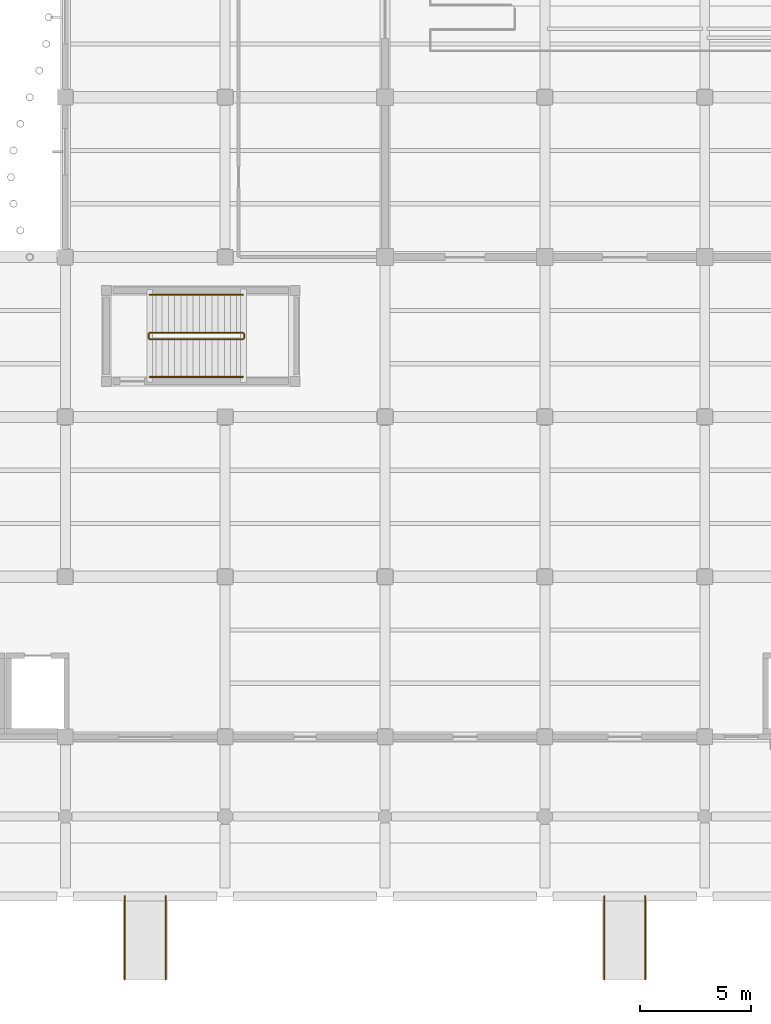
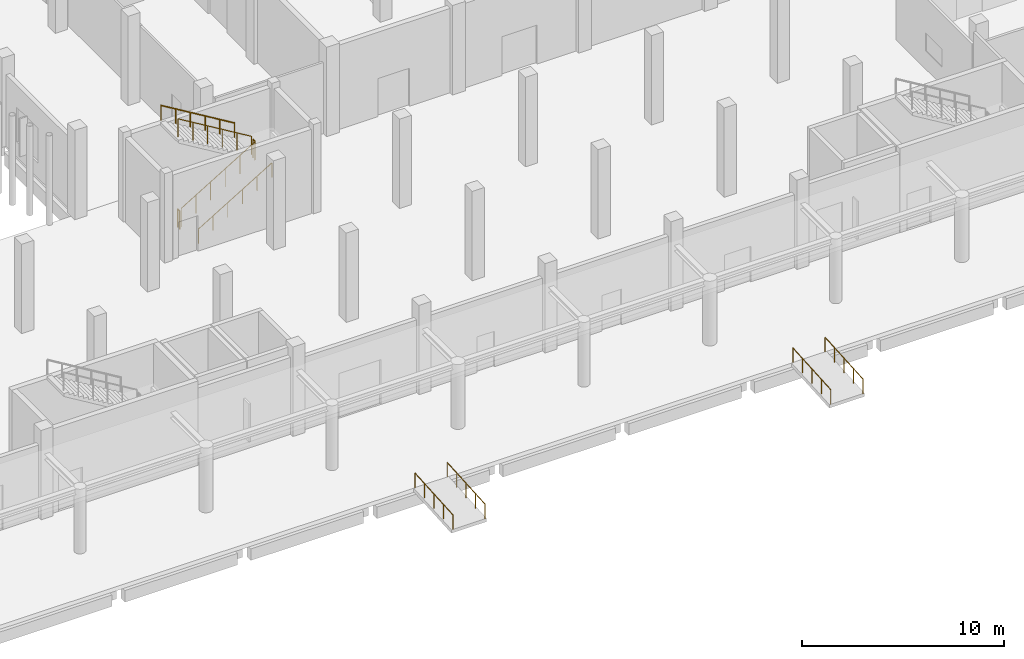
# One storey, part 36 of 46: 10 railings.
"""IFC4 building model written with IfcOpenShell, lengths in metres."""

from ifc_helpers import new_model, si_unit, direction, frame, origin, origin_2d, place, context, subcontext, project, spatial, circle, extrude, material, type_object, element, save


model = new_model("IFC4")

# Units and contexts
model_context = context("Model", 3, precision=1e-05, world=origin(), true_north=direction((0.0, 1.0)))
body_context = subcontext(model_context, "Body", "Model", "MODEL_VIEW")
ifc_project = project(units=[si_unit("LENGTHUNIT", "METRE"), si_unit("AREAUNIT", "SQUARE_METRE"), si_unit("VOLUMEUNIT", "CUBIC_METRE"), si_unit("PLANEANGLEUNIT", "RADIAN"), si_unit("MASSUNIT", "GRAM", prefix="KILO"), si_unit("THERMODYNAMICTEMPERATUREUNIT", "KELVIN"), si_unit("POWERUNIT", "WATT")], contexts=[model_context])

# Site, building, storey
site_placement = place(None, origin())
site = spatial("IfcSite", under=ifc_project, at=site_placement, CompositionType="ELEMENT")
building_placement = place(site_placement, origin())
building = spatial("IfcBuilding", under=site, at=building_placement, Name="Kaldorven Railside Theatre", CompositionType="ELEMENT")
storey_placement = place(building_placement, origin())
storey = spatial("IfcBuildingStorey", under=building, at=storey_placement, Name="L00", CompositionType="ELEMENT", Elevation=0.0)

# Railings
ifc_material_1 = material(Name="Anodised bronze aluminium", Category="aluminium")
railing_type_1 = type_object("IfcRailingType", Name="RLG-BAL-1100", PredefinedType="BALUSTRADE", material=ifc_material_1)
for number, where, name in (
    (1, (75.47998046875, 8.260009765625, -0.25), "Ramp Handrail RHR-03W"),
    (2, (77.320068359375, 8.260009765625, -0.25), "Ramp Handrail RHR-03E"),
    (3, (97.080078125, 8.260009765625, -0.25), "Ramp Handrail RHR-04W"),
    (4, (98.919921875, 8.260009765625, -0.25), "Ramp Handrail RHR-04E"),
):
    element("IfcRailing", number, at=place(storey_placement, frame(where)), inside=storey, type_object=railing_type_1, Name=name, PredefinedType="HANDRAIL", context=body_context, shape_type="SweptSolid", body=[
        extrude(circle(Radius=0.02392578125, at=origin_2d()), frame((0.0, 0.0, 0.8759765625), z_axis=(0.0, 0.997785157857, 0.066519010524), x_axis=(-1.0, 0.0, 0.0)), (0.0, 0.0, 1.0), 3.75830078125),
        extrude(circle(Radius=0.02099609375, at=origin_2d()), origin(), (0.0, 0.0, 1.0), 0.851806640625),
        extrude(circle(Radius=0.02099609375, at=origin_2d()), frame((0.0, 0.9375, 0.0625)), (0.0, 0.0, 1.0), 0.851806640625),
        extrude(circle(Radius=0.02099609375, at=origin_2d()), frame((0.0, 1.875, 0.125)), (0.0, 0.0, 1.0), 0.851806640625),
        extrude(circle(Radius=0.02099609375, at=origin_2d()), frame((0.0, 2.8125, 0.1875)), (0.0, 0.0, 1.0), 0.851806640625),
        extrude(circle(Radius=0.02099609375, at=origin_2d()), frame((0.0, 3.75, 0.25)), (0.0, 0.0, 1.0), 0.851806640625),
    ])
ifc_material_2 = material(Name="Steel S355", Category="steel")
railing_type_2 = type_object("IfcRailingType", Name="RLG-STG-1100", PredefinedType="BALUSTRADE", material=ifc_material_2)
railing_1_placement = place(storey_placement, frame((76.60009765625, 37.10009765625, 0.168701171875)))
element("IfcRailing", 5, at=railing_1_placement, inside=storey, type_object=railing_type_2, Name="L00 ST-07 stair guard 1", PredefinedType="BALUSTRADE", context=body_context, shape_type="SweptSolid", body=[
    extrude(circle(Radius=0.02392578125, at=origin_2d()), frame((0.0, 0.0, 1.09619140625), z_axis=(0.856476492594, 0.0, 0.516186030065), x_axis=(0.0, 1.0, 0.0)), (0.0, 0.0, 1.0), 4.90380859375),
    extrude(circle(Radius=0.02099609375, at=origin_2d()), origin(), (0.0, 0.0, 1.0), 1.072021484375),
    extrude(circle(Radius=0.02099609375, at=origin_2d()), frame((0.840087890625, 0.0, 0.50634765625)), (0.0, 0.0, 1.0), 1.072021484375),
    extrude(circle(Radius=0.02099609375, at=origin_2d()), frame((1.679931640625, 0.0, 1.012451171875)), (0.0, 0.0, 1.0), 1.072021484375),
    extrude(circle(Radius=0.02099609375, at=origin_2d()), frame((2.52001953125, 0.0, 1.518798828125)), (0.0, 0.0, 1.0), 1.072021484375),
    extrude(circle(Radius=0.02099609375, at=origin_2d()), frame((3.35986328125, 0.0, 2.02490234375)), (0.0, 0.0, 1.0), 1.072021484375),
    extrude(circle(Radius=0.02099609375, at=origin_2d()), frame((4.199951171875, 0.0, 2.53125)), (0.0, 0.0, 1.0), 1.072021484375),
])
railing_2_placement = place(storey_placement, frame((80.85009765625, 37.14990234375, 2.699951171875)))
element("IfcRailing", 6, at=railing_2_placement, inside=storey, type_object=railing_type_2, Name="L00 ST-07 stair guard 2", PredefinedType="BALUSTRADE", context=body_context, shape_type="SweptSolid", body=[
    extrude(circle(Radius=0.02392578125, at=origin_2d()), frame((0.0, 0.0, 1.09619140625), z_axis=(0.0, 1.0, 0.0), x_axis=(-1.0, 0.0, 0.0)), (0.0, 0.0, 1.0), 0.2001953125),
    extrude(circle(Radius=0.02099609375, at=origin_2d()), origin(), (0.0, 0.0, 1.0), 1.072021484375),
    extrude(circle(Radius=0.02099609375, at=origin_2d()), frame((0.0, 0.2001953125, 0.0)), (0.0, 0.0, 1.0), 1.072021484375),
])
railing_3_placement = place(storey_placement, frame((80.800048828125, 37.39990234375, 2.86865234375)))
element("IfcRailing", 7, at=railing_3_placement, inside=storey, type_object=railing_type_2, Name="L00 ST-07 stair guard 3", PredefinedType="BALUSTRADE", context=body_context, shape_type="SweptSolid", body=[
    extrude(circle(Radius=0.02392578125, at=origin_2d()), frame((0.0, 0.0, 1.09619140625), z_axis=(-0.856476492594, 0.0, 0.516186030065), x_axis=(0.0, -1.0, 0.0)), (0.0, 0.0, 1.0), 4.90380859375),
    extrude(circle(Radius=0.02099609375, at=origin_2d()), origin(), (0.0, 0.0, 1.0), 1.072021484375),
    extrude(circle(Radius=0.02099609375, at=origin_2d()), frame((-0.840087890625, 0.0, 0.50634765625)), (0.0, 0.0, 1.0), 1.072021484375),
    extrude(circle(Radius=0.02099609375, at=origin_2d()), frame((-1.679931640625, 0.0, 1.012451171875)), (0.0, 0.0, 1.0), 1.072021484375),
    extrude(circle(Radius=0.02099609375, at=origin_2d()), frame((-2.52001953125, 0.0, 1.518798828125)), (0.0, 0.0, 1.0), 1.072021484375),
    extrude(circle(Radius=0.02099609375, at=origin_2d()), frame((-3.35986328125, 0.0, 2.02490234375)), (0.0, 0.0, 1.0), 1.072021484375),
    extrude(circle(Radius=0.02099609375, at=origin_2d()), frame((-4.199951171875, 0.0, 2.53125)), (0.0, 0.0, 1.0), 1.072021484375),
])
railing_4_placement = place(storey_placement, frame((76.550048828125, 37.14990234375, 0.0)))
element("IfcRailing", 8, at=railing_4_placement, inside=storey, type_object=railing_type_2, Name="L00 ST-07 stair guard 4", PredefinedType="BALUSTRADE", context=body_context, shape_type="SweptSolid", body=[
    extrude(circle(Radius=0.02392578125, at=origin_2d()), frame((0.0, 0.0, 1.09619140625), z_axis=(0.0, 1.0, 0.0), x_axis=(-1.0, 0.0, 0.0)), (0.0, 0.0, 1.0), 0.2001953125),
    extrude(circle(Radius=0.02099609375, at=origin_2d()), origin(), (0.0, 0.0, 1.0), 1.072021484375),
    extrude(circle(Radius=0.02099609375, at=origin_2d()), frame((0.0, 0.2001953125, 0.0)), (0.0, 0.0, 1.0), 1.072021484375),
])
railing_type_3 = type_object("IfcRailingType", Name="RLG-STH-900", PredefinedType="HANDRAIL", material=ifc_material_2)
railing_5_placement = place(storey_placement, frame((76.60009765625, 35.39990234375, 0.168701171875)))
element("IfcRailing", 9, at=railing_5_placement, inside=storey, type_object=railing_type_3, Name="L00 ST-07 stair handrail 1", PredefinedType="HANDRAIL", context=body_context, shape_type="SweptSolid", body=[
    extrude(circle(Radius=0.02392578125, at=origin_2d()), frame((0.0, 0.0, 0.8759765625), z_axis=(0.856476492594, 0.0, 0.516186030065), x_axis=(0.0, 1.0, 0.0)), (0.0, 0.0, 1.0), 4.90380859375),
    extrude(circle(Radius=0.02099609375, at=origin_2d()), origin(), (0.0, 0.0, 1.0), 0.851806640625),
    extrude(circle(Radius=0.02099609375, at=origin_2d()), frame((0.840087890625, 0.0, 0.50634765625)), (0.0, 0.0, 1.0), 0.851806640625),
    extrude(circle(Radius=0.02099609375, at=origin_2d()), frame((1.679931640625, 0.0, 1.012451171875)), (0.0, 0.0, 1.0), 0.851806640625),
    extrude(circle(Radius=0.02099609375, at=origin_2d()), frame((2.52001953125, 0.0, 1.518798828125)), (0.0, 0.0, 1.0), 0.851806640625),
    extrude(circle(Radius=0.02099609375, at=origin_2d()), frame((3.35986328125, 0.0, 2.02490234375)), (0.0, 0.0, 1.0), 0.851806640625),
    extrude(circle(Radius=0.02099609375, at=origin_2d()), frame((4.199951171875, 0.0, 2.53125)), (0.0, 0.0, 1.0), 0.851806640625),
])
railing_6_placement = place(storey_placement, frame((80.800048828125, 39.10009765625, 2.86865234375)))
element("IfcRailing", 10, at=railing_6_placement, inside=storey, type_object=railing_type_3, Name="L00 ST-07 stair handrail 2", PredefinedType="HANDRAIL", context=body_context, shape_type="SweptSolid", body=[
    extrude(circle(Radius=0.02392578125, at=origin_2d()), frame((0.0, 0.0, 0.8759765625), z_axis=(-0.856476492594, 0.0, 0.516186030065), x_axis=(0.0, -1.0, 0.0)), (0.0, 0.0, 1.0), 4.90380859375),
    extrude(circle(Radius=0.02099609375, at=origin_2d()), origin(), (0.0, 0.0, 1.0), 0.851806640625),
    extrude(circle(Radius=0.02099609375, at=origin_2d()), frame((-0.840087890625, 0.0, 0.50634765625)), (0.0, 0.0, 1.0), 0.851806640625),
    extrude(circle(Radius=0.02099609375, at=origin_2d()), frame((-1.679931640625, 0.0, 1.012451171875)), (0.0, 0.0, 1.0), 0.851806640625),
    extrude(circle(Radius=0.02099609375, at=origin_2d()), frame((-2.52001953125, 0.0, 1.518798828125)), (0.0, 0.0, 1.0), 0.851806640625),
    extrude(circle(Radius=0.02099609375, at=origin_2d()), frame((-3.35986328125, 0.0, 2.02490234375)), (0.0, 0.0, 1.0), 0.851806640625),
    extrude(circle(Radius=0.02099609375, at=origin_2d()), frame((-4.199951171875, 0.0, 2.53125)), (0.0, 0.0, 1.0), 0.851806640625),
])

save(model, "model.ifc")
